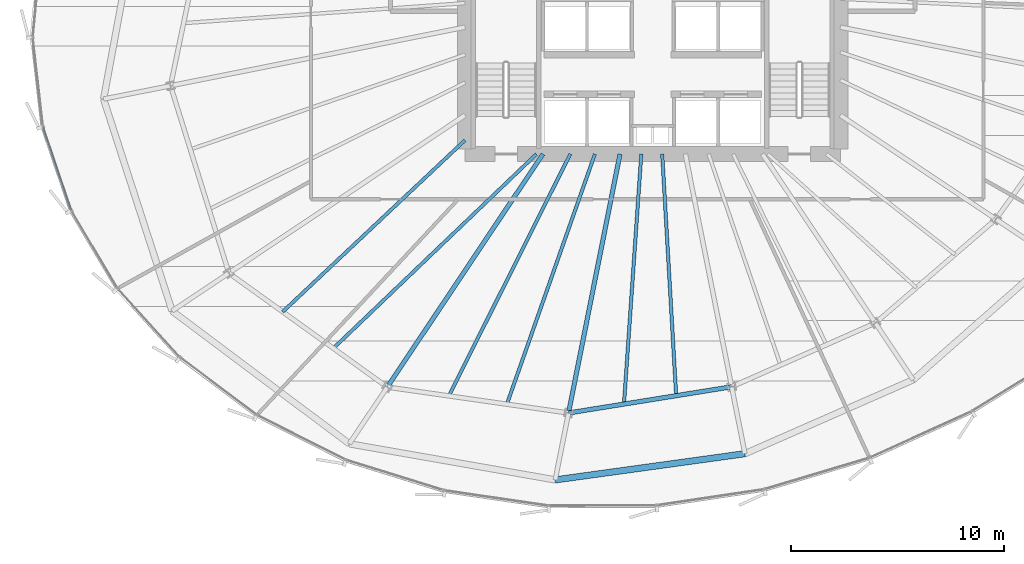
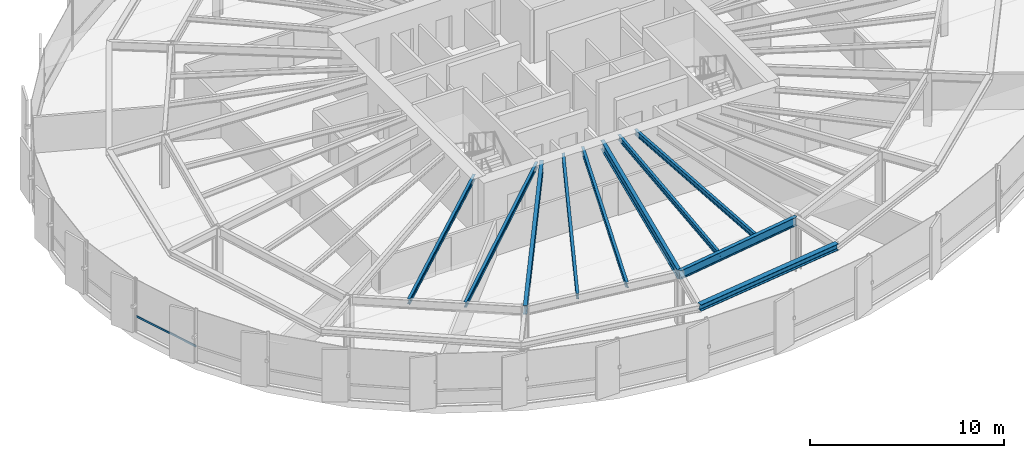
# One storey, part 6 of 35: 10 beams, 1 member, 1 element without a shape of its own.
"""IFC4 building model written with IfcOpenShell, lengths in metres."""

from ifc_helpers import new_model, si_unit, direction, frame, origin, origin_2d, place, context, subcontext, project, spatial, hollow_rectangle, i_section, extrude, source, transform, mapped, material, layer, layer_set, material_profile, profile_set, type_object, element, aggregate, save


model = new_model("IFC4")

# Units and contexts
model_context = context("Model", 3, precision=1e-05, world=origin(), true_north=direction((0.0, 1.0)))
body_context = subcontext(model_context, "Body", "Model", "MODEL_VIEW")
ifc_project = project(units=[si_unit("LENGTHUNIT", "METRE"), si_unit("AREAUNIT", "SQUARE_METRE"), si_unit("VOLUMEUNIT", "CUBIC_METRE"), si_unit("PLANEANGLEUNIT", "RADIAN"), si_unit("MASSUNIT", "GRAM", prefix="KILO"), si_unit("THERMODYNAMICTEMPERATUREUNIT", "KELVIN")], contexts=[model_context])

# Site, building, storey
site_placement = place(None, origin())
site = spatial("IfcSite", under=ifc_project, at=site_placement, CompositionType="ELEMENT")
building_placement = place(site_placement, origin())
building = spatial("IfcBuilding", under=site, at=building_placement, Name="Kethvar Cultural Tower", CompositionType="ELEMENT")
storey_placement = place(building_placement, frame((0.0, 0.0, 85.60009765625)))
storey = spatial("IfcBuildingStorey", under=building, at=storey_placement, Name="L20", CompositionType="ELEMENT", Elevation=85.60009765625)

# Beams
ifc_material_1 = material(Name="Steel S355J2", Category="steel")
ifc_material_profile_1 = material_profile(ifc_material_1, i_section(OverallWidth=0.2099609375, OverallDepth=0.550048828125, WebThickness=0.010986328125, FlangeThickness=0.01708984375, FilletRadius=0.02392578125, at=origin_2d()), Name="Steel S355J2 — IPE550")
ifc_profile_set_1 = profile_set([ifc_material_profile_1], Name="Steel S355J2 — IPE550")
beam_type_1 = type_object("IfcBeamType", Name="BM-IPE550", PredefinedType="BEAM", material=ifc_profile_set_1)
shared_shape_1 = source(origin(), body_context, "Body", "SweptSolid", [
    extrude(i_section(OverallWidth=0.2099609375, OverallDepth=0.550048828125, WebThickness=0.010986328125, FlangeThickness=0.01708984375, FilletRadius=0.02392578125, at=origin_2d()), origin(), (0.0, 0.0, 1.0), 13.147216796875),
])
beam_1_placement = place(storey_placement, frame((41.655029296875, 20.10009765625, 3.072998046875), z_axis=(-0.555565525446, -0.831472757783, 0.0), x_axis=(0.831472757783, -0.555565525446, 0.0)))
element("IfcBeam", 1, at=beam_1_placement, inside=storey, type_object=beam_type_1, Name="L20 Primary Radial Beam RB-11", PredefinedType="BEAM", context=body_context, shape_type="MappedRepresentation", body=[
    mapped(shared_shape_1, transform((0.0, 0.0, 0.0), scale=1.0)),
])
shared_shape_2 = source(origin(), body_context, "Body", "SweptSolid", [
    extrude(i_section(OverallWidth=0.2099609375, OverallDepth=0.550048828125, WebThickness=0.010986328125, FlangeThickness=0.01708984375, FilletRadius=0.02392578125, at=origin_2d()), origin(), (0.0, 0.0, 1.0), 12.384521484375),
])
beam_2_placement = place(storey_placement, frame((45.268310546875, 20.10009765625, 3.072998046875), z_axis=(-0.195084858678, -0.980786367113, 0.0), x_axis=(0.980786367113, -0.195084858678, 0.0)))
element("IfcBeam", 2, at=beam_2_placement, inside=storey, type_object=beam_type_1, Name="L20 Primary Radial Beam RB-12", PredefinedType="BEAM", context=body_context, shape_type="MappedRepresentation", body=[
    mapped(shared_shape_2, transform((0.0, 0.0, 0.0), scale=1.0)),
])
ifc_material_profile_2 = material_profile(ifc_material_1, i_section(OverallWidth=0.159912109375, OverallDepth=0.330078125, WebThickness=0.007568359375, FlangeThickness=0.011474609375, FilletRadius=0.01806640625, at=origin_2d()), Name="Steel S355J2 — IPE330")
ifc_profile_set_2 = profile_set([ifc_material_profile_2], Name="Steel S355J2 — IPE330")
beam_type_2 = type_object("IfcBeamType", Name="BM-J330", PredefinedType="JOIST", material=ifc_profile_set_2)
shared_shape_3 = source(origin(), body_context, "Body", "SweptSolid", [
    extrude(i_section(OverallWidth=0.159912109375, OverallDepth=0.330078125, WebThickness=0.007568359375, FlangeThickness=0.011474609375, FilletRadius=0.01806640625, at=origin_2d()), origin(), (0.0, 0.0, 1.0), 11.74658203125),
])
beam_3_placement = place(storey_placement, frame((38.0, 20.75, 3.182861328125), z_axis=(-0.728129818661, -0.685439251266, 0.0), x_axis=(0.685439251266, -0.728129818661, 0.0)))
element("IfcBeam", 3, at=beam_3_placement, inside=storey, type_object=beam_type_2, Name="L20 Composite Floor Joist J-10A", PredefinedType="JOIST", context=body_context, shape_type="MappedRepresentation", body=[
    mapped(shared_shape_3, transform((0.0, 0.0, 0.0), scale=1.0)),
])
shared_shape_4 = source(origin(), body_context, "Body", "SweptSolid", [
    extrude(i_section(OverallWidth=0.159912109375, OverallDepth=0.330078125, WebThickness=0.007568359375, FlangeThickness=0.011474609375, FilletRadius=0.01806640625, at=origin_2d()), origin(), (0.0, 0.0, 1.0), 13.1826171875),
])
beam_4_placement = place(storey_placement, frame((41.35009765625, 20.10009765625, 3.182861328125), z_axis=(-0.722573880181, -0.691293705801, 0.0), x_axis=(0.691293705801, -0.722573880181, 0.0)))
element("IfcBeam", 4, at=beam_4_placement, inside=storey, type_object=beam_type_2, Name="L20 Composite Floor Joist J-10B", PredefinedType="JOIST", context=body_context, shape_type="MappedRepresentation", body=[
    mapped(shared_shape_4, transform((0.0, 0.0, 0.0), scale=1.0)),
])
shared_shape_5 = source(origin(), body_context, "Body", "SweptSolid", [
    extrude(i_section(OverallWidth=0.159912109375, OverallDepth=0.330078125, WebThickness=0.007568359375, FlangeThickness=0.011474609375, FilletRadius=0.01806640625, at=origin_2d()), origin(), (0.0, 0.0, 1.0), 12.693603515625),
])
beam_5_placement = place(storey_placement, frame((42.935302734375, 20.10009765625, 3.182861328125), z_axis=(-0.448582495233, -0.893741430712, 0.0), x_axis=(0.893741430712, -0.448582495233, 0.0)))
element("IfcBeam", 5, at=beam_5_placement, inside=storey, type_object=beam_type_2, Name="L20 Composite Floor Joist J-11A", PredefinedType="JOIST", context=body_context, shape_type="MappedRepresentation", body=[
    mapped(shared_shape_5, transform((0.0, 0.0, 0.0), scale=1.0)),
])
shared_shape_6 = source(origin(), body_context, "Body", "SweptSolid", [
    extrude(i_section(OverallWidth=0.159912109375, OverallDepth=0.330078125, WebThickness=0.007568359375, FlangeThickness=0.011474609375, FilletRadius=0.01806640625, at=origin_2d()), origin(), (0.0, 0.0, 1.0), 12.4384765625),
])
beam_6_placement = place(storey_placement, frame((44.090576171875, 20.10009765625, 3.182861328125), z_axis=(-0.331923676994, -0.943306245421, 0.0), x_axis=(0.943306245421, -0.331923676994, 0.0)))
element("IfcBeam", 6, at=beam_6_placement, inside=storey, type_object=beam_type_2, Name="L20 Composite Floor Joist J-11B", PredefinedType="JOIST", context=body_context, shape_type="MappedRepresentation", body=[
    mapped(shared_shape_6, transform((0.0, 0.0, 0.0), scale=1.0)),
])
shared_shape_7 = source(origin(), body_context, "Body", "SweptSolid", [
    extrude(i_section(OverallWidth=0.2099609375, OverallDepth=0.550048828125, WebThickness=0.010986328125, FlangeThickness=0.01708984375, FilletRadius=0.02392578125, at=origin_2d()), origin(), (0.0, 0.0, 1.0), 7.749267578125),
])
beam_7_placement = place(storey_placement, frame((42.852294921875, 7.95361328125, 3.072998046875), z_axis=(0.987348257569, 0.158566762831, 0.0), x_axis=(-0.158566762831, 0.987348257569, 0.0)))
element("IfcBeam", 7, at=beam_7_placement, inside=storey, type_object=beam_type_1, Name="L20 Column Ring Tie Beam CR-12", PredefinedType="BEAM", context=body_context, shape_type="MappedRepresentation", body=[
    mapped(shared_shape_7, transform((0.0, 0.0, 0.0), scale=1.0)),
])
ifc_material_profile_3 = material_profile(ifc_material_1, i_section(OverallWidth=0.300048828125, OverallDepth=0.39990234375, WebThickness=0.013427734375, FlangeThickness=0.02392578125, FilletRadius=0.027099609375, at=origin_2d()), Name="Steel S355J2 — HEB400")
ifc_profile_set_3 = profile_set([ifc_material_profile_3], Name="Steel S355J2 — HEB400")
beam_type_3 = type_object("IfcBeamType", Name="BM-SP400", PredefinedType="SPANDREL", material=ifc_profile_set_3)
shared_shape_8 = source(origin(), body_context, "Body", "SweptSolid", [
    extrude(i_section(OverallWidth=0.300048828125, OverallDepth=0.39990234375, WebThickness=0.013427734375, FlangeThickness=0.02392578125, FilletRadius=0.027099609375, at=origin_2d()), origin(), (0.0, 0.0, 1.0), 8.984130859375),
])
beam_8_placement = place(storey_placement, frame((42.22802734375, 4.81494140625, 3.14794921875), z_axis=(0.990602728928, 0.136770733127, 0.0), x_axis=(-0.136770733127, 0.990602728928, 0.0)))
element("IfcBeam", 8, at=beam_8_placement, inside=storey, type_object=beam_type_3, Name="L20 Perimeter Spandrel Beam SP-12", PredefinedType="SPANDREL", context=body_context, shape_type="MappedRepresentation", body=[
    mapped(shared_shape_8, transform((0.0, 0.0, 0.0), scale=1.0)),
])
shared_shape_9 = source(origin(), body_context, "Body", "SweptSolid", [
    extrude(i_section(OverallWidth=0.159912109375, OverallDepth=0.330078125, WebThickness=0.007568359375, FlangeThickness=0.011474609375, FilletRadius=0.01806640625, at=origin_2d()), origin(), (0.0, 0.0, 1.0), 11.7568359375),
])
beam_9_placement = place(storey_placement, frame((46.266357421875, 20.10009765625, 3.182861328125), z_axis=(-0.069129203877, -0.997607715072, 0.0), x_axis=(0.997607715072, -0.069129203877, 0.0)))
element("IfcBeam", 9, at=beam_9_placement, inside=storey, type_object=beam_type_2, Name="L20 Composite Floor Joist J-12A", PredefinedType="JOIST", context=body_context, shape_type="MappedRepresentation", body=[
    mapped(shared_shape_9, transform((0.0, 0.0, 0.0), scale=1.0)),
])
shared_shape_10 = source(origin(), body_context, "Body", "SweptSolid", [
    extrude(i_section(OverallWidth=0.159912109375, OverallDepth=0.330078125, WebThickness=0.007568359375, FlangeThickness=0.011474609375, FilletRadius=0.01806640625, at=origin_2d()), origin(), (0.0, 0.0, 1.0), 11.354736328125),
])
beam_10_placement = place(storey_placement, frame((47.245849609375, 20.10009765625, 3.182861328125), z_axis=(0.057795585741, -0.998328438075, 0.0), x_axis=(0.998328438075, 0.057795585741, 0.0)))
element("IfcBeam", 10, at=beam_10_placement, inside=storey, type_object=beam_type_2, Name="L20 Composite Floor Joist J-12B", PredefinedType="JOIST", context=body_context, shape_type="MappedRepresentation", body=[
    mapped(shared_shape_10, transform((0.0, 0.0, 0.0), scale=1.0)),
])

# Curtain wall, member
ifc_material_2 = material(Name="Aluminium 6063-T6", Category="aluminium")
ifc_layer = layer(ifc_material_2, 0.179931640625, Name="Aluminium 6063-T6", Category="aluminium")
ifc_layer_set = layer_set([ifc_layer], Name="Aluminium 6063-T6 (180 mm)")
curtain_wall_type = type_object("IfcCurtainWallType", Name="CW-SYS-03-Z2", PredefinedType="NOTDEFINED", material=ifc_layer_set)
curtain_wall_placement = place(storey_placement, origin())
curtain_wall = element("IfcCurtainWall", 11, at=curtain_wall_placement, inside=storey, type_object=curtain_wall_type, Name="L20 Curtain Wall Run 04", PredefinedType="NOTDEFINED")
ifc_material_profile_4 = material_profile(ifc_material_2, hollow_rectangle(XDim=0.054931640625, YDim=0.1201171875, WallThickness=0.00390625, at=origin_2d()), Name="Aluminium 6063-T6 — RHS120x55x4")
ifc_profile_set_4 = profile_set([ifc_material_profile_4], Name="Aluminium 6063-T6 — RHS120x55x4")
member_type = type_object("IfcMemberType", Name="CW-SYS-03-Z2-TRN", PredefinedType="USERDEFINED", material=ifc_profile_set_4)
shared_shape_11 = source(origin(), body_context, "Body", "SweptSolid", [
    extrude(hollow_rectangle(XDim=0.054931640625, YDim=0.1201171875, WallThickness=0.00390625, at=origin_2d()), origin(), (0.0, 0.0, 1.0), 4.125732421875),
])
member_placement = place(storey_placement, frame((18.209228515625, 21.377685546875, 0.949951171875), z_axis=(0.320431990303, -0.947271523688, 0.0), x_axis=(0.947271523688, 0.320431990303, 0.0)))
member = element("IfcMember", 12, at=member_placement, type_object=member_type, Name="CW-L20-R04 Transom 1", ObjectType="TRANSOM", PredefinedType="USERDEFINED", context=body_context, shape_type="MappedRepresentation", body=[
    mapped(shared_shape_11, transform((0.0, 0.0, 0.0), scale=1.0)),
])
aggregate(curtain_wall, [member])

save(model, "model.ifc")
